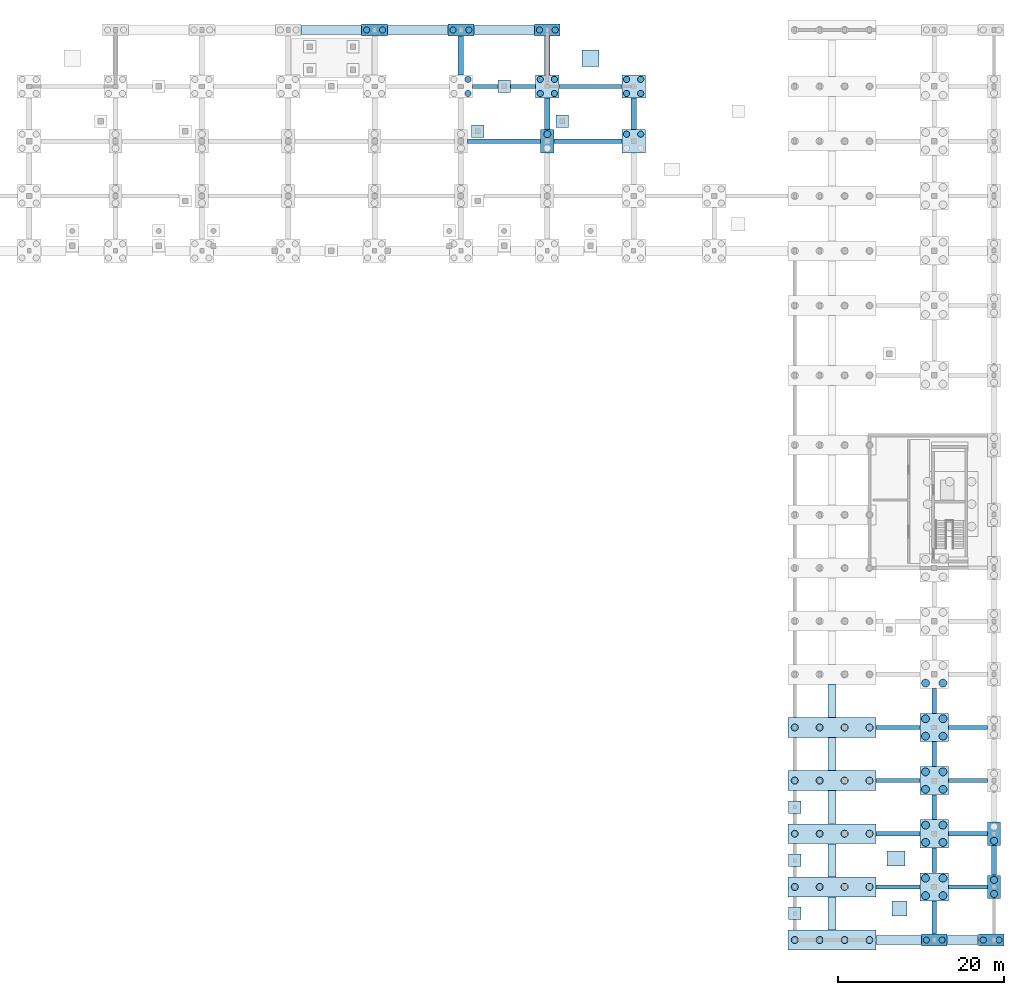
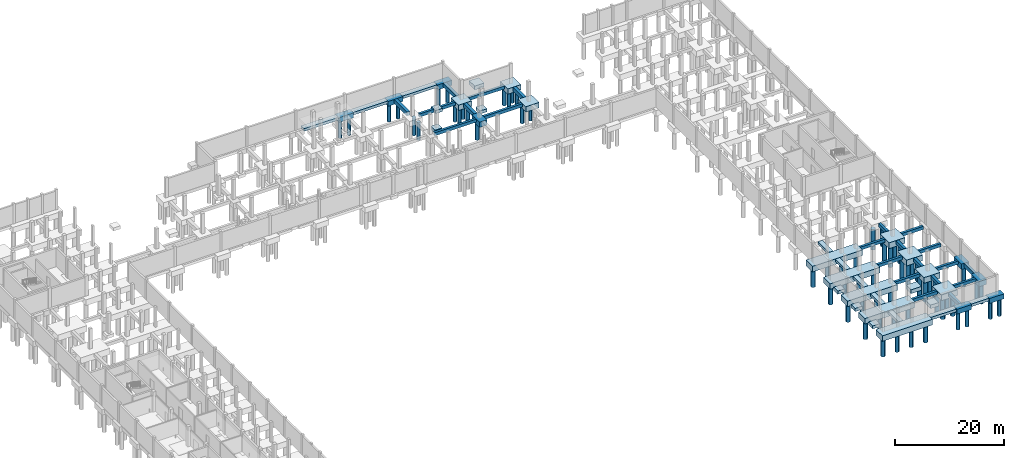
# One storey, part 5 of 21: 64 piles, 62 footings.
"""IFC4 building model written with IfcOpenShell, lengths in metres."""

from ifc_helpers import new_model, si_unit, derived_unit, direction, frame, origin, origin_2d, place, context, subcontext, project, spatial, rectangle, circle, extrude, material, material_profile, profile_set, type_object, element, save


model = new_model("IFC4")

# Units and contexts
model_context = context("Model", 3, precision=1e-05, world=origin(), true_north=direction((0.0, 1.0)))
body_context = subcontext(model_context, "Body", "Model", "MODEL_VIEW")
ifc_project = project(units=[si_unit("LENGTHUNIT", "METRE"), si_unit("AREAUNIT", "SQUARE_METRE"), si_unit("VOLUMEUNIT", "CUBIC_METRE"), si_unit("PLANEANGLEUNIT", "RADIAN"), si_unit("MASSUNIT", "GRAM", prefix="KILO"), derived_unit("THERMALTRANSMITTANCEUNIT", [(si_unit("POWERUNIT", "WATT"), 1), (si_unit("LENGTHUNIT", "METRE"), -2), (si_unit("THERMODYNAMICTEMPERATUREUNIT", "KELVIN"), -1)])], contexts=[model_context])

# Site, building, storey
site_placement = place(None, origin())
site = spatial("IfcSite", under=ifc_project, at=site_placement, CompositionType="ELEMENT")
building_placement = place(site_placement, origin())
building = spatial("IfcBuilding", under=site, at=building_placement, Name="Braskholm Square Health Centre", CompositionType="ELEMENT")
storey_placement = place(building_placement, frame((0.0, 0.0, -4.5)))
storey = spatial("IfcBuildingStorey", under=building, at=storey_placement, Name="B01", CompositionType="ELEMENT", Elevation=-4.5)

# Piles
ifc_material = material(Name="Concrete C40/50 (f'c = 40 MPa)", Category="concrete")
ifc_material_profile_1 = material_profile(ifc_material, circle(Radius=0.375, at=origin_2d()), Name="BORED-PILE-750")
ifc_profile_set_1 = profile_set([ifc_material_profile_1], Name="Concrete C40/50 (f'c = 40 MPa)")
pile_type_1 = type_object("IfcPileType", Name="BoredShaft750", PredefinedType="BORED", material=ifc_profile_set_1)
for number, where, z_axis, x_axis, name in (
    (1, (88.25, 113.800048828125, -1.0), (0.0, 0.0, -1.0), (1.0, 0.0, 0.0), "Rock-socketed shaft 0345"),
    (2, (90.14990234375, 113.800048828125, -1.0), (0.0, 0.0, -1.0), (1.0, 0.0, 0.0), "Rock-socketed shaft 0346"),
    (3, (100.449951171875, 106.14990234375, -1.10009765625), (0.0, 0.0, -1.0), (1.0, 0.0, 0.0), "Rock-socketed shaft 0356"),
    (4, (100.449951171875, 107.85009765625, -1.10009765625), (0.0, 0.0, -1.0), (1.0, 0.0, 0.0), "Rock-socketed shaft 0358"),
    (5, (98.64990234375, 113.800048828125, -1.0), (0.0, 0.0, -1.0), (1.0, 0.0, 0.0), "Rock-socketed shaft 0359"),
    (6, (100.550048828125, 113.800048828125, -1.0), (0.0, 0.0, -1.0), (1.0, 0.0, 0.0), "Rock-socketed shaft 0360"),
    (7, (109.14990234375, 106.14990234375, -1.10009765625), (0.0, 0.0, -1.0), (1.0, 0.0, 0.0), "Rock-socketed shaft 0369"),
    (8, (110.85009765625, 106.14990234375, -1.10009765625), (0.0, 0.0, -1.0), (1.0, 0.0, 0.0), "Rock-socketed shaft 0370"),
    (9, (109.14990234375, 107.85009765625, -1.10009765625), (0.0, 0.0, -1.0), (1.0, 0.0, 0.0), "Rock-socketed shaft 0371"),
    (10, (110.85009765625, 107.85009765625, -1.10009765625), (0.0, 0.0, -1.0), (1.0, 0.0, 0.0), "Rock-socketed shaft 0372"),
    (11, (109.050048828125, 113.800048828125, -1.0), (0.0, 0.0, -1.0), (1.0, 0.0, 0.0), "Rock-socketed shaft 0373"),
    (12, (110.949951171875, 113.800048828125, -1.0), (0.0, 0.0, -1.0), (1.0, 0.0, 0.0), "Rock-socketed shaft 0374"),
    (13, (119.550048828125, 101.25, -1.10009765625), (0.0, 0.0, -1.0), (1.0, 0.0, 0.0), "Rock-socketed shaft 0385"),
    (14, (121.25, 101.25, -1.10009765625), (0.0, 0.0, -1.0), (1.0, 0.0, 0.0), "Rock-socketed shaft 0386"),
    (15, (119.550048828125, 106.14990234375, -1.10009765625), (0.0, 0.0, -1.0), (1.0, 0.0, 0.0), "Rock-socketed shaft 0387"),
    (16, (121.25, 106.14990234375, -1.10009765625), (0.0, 0.0, -1.0), (1.0, 0.0, 0.0), "Rock-socketed shaft 0388"),
    (17, (119.550048828125, 107.85009765625, -1.10009765625), (0.0, 0.0, -1.0), (1.0, 0.0, 0.0), "Rock-socketed shaft 0389"),
    (18, (121.25, 107.85009765625, -1.10009765625), (0.0, 0.0, -1.0), (1.0, 0.0, 0.0), "Rock-socketed shaft 0390"),
    (19, (155.64990234375, 4.199951171875, -1.0), (0.0, 0.0, -1.0), (1.0, 0.0, 0.0), "Rock-socketed shaft 0399"),
    (20, (157.550048828125, 4.199951171875, -1.0), (0.0, 0.0, -1.0), (1.0, 0.0, 0.0), "Rock-socketed shaft 0400"),
    (21, (162.5, 4.199951171875, -1.0), (0.0, 0.0, -1.0), (1.0, 0.0, 0.0), "Rock-socketed shaft 0455"),
    (22, (164.39990234375, 4.199951171875, -1.0), (0.0, 0.0, -1.0), (1.0, 0.0, 0.0), "Rock-socketed shaft 0456"),
):
    element("IfcPile", number, at=place(storey_placement, frame(where, z_axis=z_axis, x_axis=x_axis)), inside=storey, type_object=pile_type_1, Name=name, PredefinedType="BORED", context=body_context, shape_type="SweptSolid", body=[
        extrude(circle(Radius=0.375, at=origin_2d()), origin(), (0.0, 0.0, 1.0), 4.0),
    ])
ifc_material_profile_2 = material_profile(ifc_material, circle(Radius=0.425048828125, at=origin_2d()), Name="BORED-PILE-850")
ifc_profile_set_2 = profile_set([ifc_material_profile_2], Name="Concrete C40/50 (f'c = 40 MPa)")
pile_type_2 = type_object("IfcPileType", Name="BoredShaft850", PredefinedType="BORED", material=ifc_profile_set_2)
for number, where, z_axis, x_axis, name in (
    (23, (139.800048828125, 4.199951171875, -1.14990234375), (0.0, 0.0, -1.0), (1.0, 0.0, 0.0), "Rock-socketed shaft 0101"),
    (24, (142.800048828125, 4.199951171875, -1.14990234375), (0.0, 0.0, -1.0), (1.0, 0.0, 0.0), "Rock-socketed shaft 0102"),
    (25, (145.800048828125, 4.199951171875, -1.14990234375), (0.0, 0.0, -1.0), (1.0, 0.0, 0.0), "Rock-socketed shaft 0103"),
    (26, (148.800048828125, 4.199951171875, -1.14990234375), (0.0, 0.0, -1.0), (1.0, 0.0, 0.0), "Rock-socketed shaft 0104"),
    (27, (139.800048828125, 10.60009765625, -1.14990234375), (0.0, 0.0, -1.0), (1.0, 0.0, 0.0), "Rock-socketed shaft 0105"),
    (28, (142.800048828125, 10.60009765625, -1.14990234375), (0.0, 0.0, -1.0), (1.0, 0.0, 0.0), "Rock-socketed shaft 0106"),
    (29, (145.800048828125, 10.60009765625, -1.14990234375), (0.0, 0.0, -1.0), (1.0, 0.0, 0.0), "Rock-socketed shaft 0107"),
    (30, (148.800048828125, 10.60009765625, -1.14990234375), (0.0, 0.0, -1.0), (1.0, 0.0, 0.0), "Rock-socketed shaft 0108"),
    (31, (139.800048828125, 17.0, -1.14990234375), (0.0, 0.0, -1.0), (1.0, 0.0, 0.0), "Rock-socketed shaft 0109"),
    (32, (142.800048828125, 17.0, -1.14990234375), (0.0, 0.0, -1.0), (1.0, 0.0, 0.0), "Rock-socketed shaft 0110"),
    (33, (145.800048828125, 17.0, -1.14990234375), (0.0, 0.0, -1.0), (1.0, 0.0, 0.0), "Rock-socketed shaft 0111"),
    (34, (148.800048828125, 17.0, -1.14990234375), (0.0, 0.0, -1.0), (1.0, 0.0, 0.0), "Rock-socketed shaft 0112"),
    (35, (139.800048828125, 23.39990234375, -1.14990234375), (0.0, 0.0, -1.0), (1.0, 0.0, 0.0), "Rock-socketed shaft 0113"),
    (36, (142.800048828125, 23.39990234375, -1.14990234375), (0.0, 0.0, -1.0), (1.0, 0.0, 0.0), "Rock-socketed shaft 0114"),
    (37, (145.800048828125, 23.39990234375, -1.14990234375), (0.0, 0.0, -1.0), (1.0, 0.0, 0.0), "Rock-socketed shaft 0115"),
    (38, (148.800048828125, 23.39990234375, -1.14990234375), (0.0, 0.0, -1.0), (1.0, 0.0, 0.0), "Rock-socketed shaft 0116"),
    (39, (139.800048828125, 29.800048828125, -1.14990234375), (0.0, 0.0, -1.0), (1.0, 0.0, 0.0), "Rock-socketed shaft 0117"),
    (40, (142.800048828125, 29.800048828125, -1.14990234375), (0.0, 0.0, -1.0), (1.0, 0.0, 0.0), "Rock-socketed shaft 0118"),
    (41, (145.800048828125, 29.800048828125, -1.14990234375), (0.0, 0.0, -1.0), (1.0, 0.0, 0.0), "Rock-socketed shaft 0119"),
    (42, (148.800048828125, 29.800048828125, -1.14990234375), (0.0, 0.0, -1.0), (1.0, 0.0, 0.0), "Rock-socketed shaft 0120"),
    (43, (110.0, 101.25, -1.10009765625), (0.0, 0.0, -1.0), (1.0, 0.0, 0.0), "Rock-socketed shaft 0368"),
    (44, (163.800048828125, 9.75, -1.10009765625), (0.0, 0.0, -1.0), (1.0, 0.0, 0.0), "Rock-socketed shaft 0457"),
    (45, (163.800048828125, 11.449951171875, -1.10009765625), (0.0, 0.0, -1.0), (1.0, 0.0, 0.0), "Rock-socketed shaft 0458"),
    (46, (163.800048828125, 16.14990234375, -1.10009765625), (0.0, 0.0, -1.0), (1.0, 0.0, 0.0), "Rock-socketed shaft 0459"),
):
    element("IfcPile", number, at=place(storey_placement, frame(where, z_axis=z_axis, x_axis=x_axis)), inside=storey, type_object=pile_type_2, Name=name, PredefinedType="BORED", context=body_context, shape_type="SweptSolid", body=[
        extrude(circle(Radius=0.425048828125, at=origin_2d()), origin(), (0.0, 0.0, 1.0), 4.300048828125),
    ])
ifc_material_profile_3 = material_profile(ifc_material, circle(Radius=0.47509765625, at=origin_2d()), Name="BORED-PILE-950")
ifc_profile_set_3 = profile_set([ifc_material_profile_3], Name="Concrete C40/50 (f'c = 40 MPa)")
pile_type_3 = type_object("IfcPileType", Name="BoredShaft950", PredefinedType="BORED", material=ifc_profile_set_3)
for number, where, z_axis, x_axis, name in (
    (47, (155.550048828125, 9.550048828125, -1.199951171875), (0.0, 0.0, -1.0), (1.0, 0.0, 0.0), "Rock-socketed shaft 0401"),
    (48, (157.64990234375, 9.550048828125, -1.199951171875), (0.0, 0.0, -1.0), (1.0, 0.0, 0.0), "Rock-socketed shaft 0402"),
    (49, (155.550048828125, 11.64990234375, -1.199951171875), (0.0, 0.0, -1.0), (1.0, 0.0, 0.0), "Rock-socketed shaft 0403"),
    (50, (157.64990234375, 11.64990234375, -1.199951171875), (0.0, 0.0, -1.0), (1.0, 0.0, 0.0), "Rock-socketed shaft 0404"),
    (51, (155.550048828125, 15.949951171875, -1.199951171875), (0.0, 0.0, -1.0), (1.0, 0.0, 0.0), "Rock-socketed shaft 0405"),
    (52, (157.64990234375, 15.949951171875, -1.199951171875), (0.0, 0.0, -1.0), (1.0, 0.0, 0.0), "Rock-socketed shaft 0406"),
    (53, (155.550048828125, 18.050048828125, -1.199951171875), (0.0, 0.0, -1.0), (1.0, 0.0, 0.0), "Rock-socketed shaft 0407"),
    (54, (157.64990234375, 18.050048828125, -1.199951171875), (0.0, 0.0, -1.0), (1.0, 0.0, 0.0), "Rock-socketed shaft 0408"),
    (55, (155.550048828125, 22.35009765625, -1.199951171875), (0.0, 0.0, -1.0), (1.0, 0.0, 0.0), "Rock-socketed shaft 0409"),
    (56, (157.64990234375, 22.35009765625, -1.199951171875), (0.0, 0.0, -1.0), (1.0, 0.0, 0.0), "Rock-socketed shaft 0410"),
    (57, (155.550048828125, 24.449951171875, -1.199951171875), (0.0, 0.0, -1.0), (1.0, 0.0, 0.0), "Rock-socketed shaft 0411"),
    (58, (157.64990234375, 24.449951171875, -1.199951171875), (0.0, 0.0, -1.0), (1.0, 0.0, 0.0), "Rock-socketed shaft 0412"),
    (59, (155.550048828125, 28.75, -1.199951171875), (0.0, 0.0, -1.0), (1.0, 0.0, 0.0), "Rock-socketed shaft 0413"),
    (60, (157.64990234375, 28.75, -1.199951171875), (0.0, 0.0, -1.0), (1.0, 0.0, 0.0), "Rock-socketed shaft 0414"),
    (61, (155.550048828125, 30.85009765625, -1.199951171875), (0.0, 0.0, -1.0), (1.0, 0.0, 0.0), "Rock-socketed shaft 0415"),
    (62, (157.64990234375, 30.85009765625, -1.199951171875), (0.0, 0.0, -1.0), (1.0, 0.0, 0.0), "Rock-socketed shaft 0416"),
    (63, (155.550048828125, 35.14990234375, -1.199951171875), (0.0, 0.0, -1.0), (1.0, 0.0, 0.0), "Rock-socketed shaft 0417"),
    (64, (157.64990234375, 35.14990234375, -1.199951171875), (0.0, 0.0, -1.0), (1.0, 0.0, 0.0), "Rock-socketed shaft 0418"),
):
    element("IfcPile", number, at=place(storey_placement, frame(where, z_axis=z_axis, x_axis=x_axis)), inside=storey, type_object=pile_type_3, Name=name, PredefinedType="BORED", context=body_context, shape_type="SweptSolid", body=[
        extrude(circle(Radius=0.47509765625, at=origin_2d()), origin(), (0.0, 0.0, 1.0), 4.60009765625),
    ])

# Footings
ifc_material_profile_4 = material_profile(ifc_material, rectangle(XDim=0.60009765625, YDim=0.800048828125, at=origin_2d()), Name="FTG-600X800")
ifc_profile_set_4 = profile_set([ifc_material_profile_4], Name="Concrete C40/50 (f'c = 40 MPa)")
footing_type_1 = type_object("IfcFootingType", Name="GradeBeamFrost600x800", PredefinedType="FOOTING_BEAM", material=ifc_profile_set_4)
footing_1_placement = place(storey_placement, frame((163.800048828125, 12.0048828125, -0.39990234375), z_axis=(0.0, 1.0, 0.0), x_axis=(-1.0, 0.0, 0.0)))
element("IfcFooting", 65, at=footing_1_placement, inside=storey, type_object=footing_type_1, Name="Foundation tie beam 0101", PredefinedType="FOOTING_BEAM", context=body_context, shape_type="SweptSolid", body=[
    extrude(rectangle(XDim=0.60009765625, YDim=0.800048828125, at=origin_2d()), origin(), (0.0, 0.0, 1.0), 3.590087890625),
])
ifc_material_profile_5 = material_profile(ifc_material, rectangle(XDim=0.64990234375, YDim=0.85009765625, at=origin_2d()), Name="FTG-650X850")
ifc_profile_set_5 = profile_set([ifc_material_profile_5], Name="Concrete C40/50 (f'c = 40 MPa)")
footing_type_2 = type_object("IfcFootingType", Name="GradeBeamHall650x850", PredefinedType="FOOTING_BEAM", material=ifc_profile_set_5)
footing_2_placement = place(storey_placement, frame((99.60009765625, 108.405029296875, -0.425048828125), z_axis=(0.0, 1.0, 0.0), x_axis=(-1.0, 0.0, 0.0)))
element("IfcFooting", 66, at=footing_2_placement, inside=storey, type_object=footing_type_2, Name="Foundation tie beam 0063", PredefinedType="FOOTING_BEAM", context=body_context, shape_type="SweptSolid", body=[
    extrude(rectangle(XDim=0.64990234375, YDim=0.85009765625, at=origin_2d()), origin(), (0.0, 0.0, 1.0), 4.68994140625),
])
footing_3_placement = place(storey_placement, frame((110.0, 101.804931640625, -0.425048828125), z_axis=(0.0, 1.0, 0.0), x_axis=(-1.0, 0.0, 0.0)))
element("IfcFooting", 67, at=footing_3_placement, inside=storey, type_object=footing_type_2, Name="Foundation tie beam 0066", PredefinedType="FOOTING_BEAM", context=body_context, shape_type="SweptSolid", body=[
    extrude(rectangle(XDim=0.64990234375, YDim=0.85009765625, at=origin_2d()), origin(), (0.0, 0.0, 1.0), 3.7900390625),
])
footing_4_placement = place(storey_placement, frame((110.0, 108.405029296875, -0.425048828125), z_axis=(0.0, 1.0, 0.0), x_axis=(-1.0, 0.0, 0.0)))
element("IfcFooting", 68, at=footing_4_placement, inside=storey, type_object=footing_type_2, Name="Foundation tie beam 0067", PredefinedType="FOOTING_BEAM", context=body_context, shape_type="SweptSolid", body=[
    extrude(rectangle(XDim=0.64990234375, YDim=0.85009765625, at=origin_2d()), origin(), (0.0, 0.0, 1.0), 4.68994140625),
])
footing_5_placement = place(storey_placement, frame((120.39990234375, 101.804931640625, -0.425048828125), z_axis=(0.0, 1.0, 0.0), x_axis=(-1.0, 0.0, 0.0)))
element("IfcFooting", 69, at=footing_5_placement, inside=storey, type_object=footing_type_2, Name="Foundation tie beam 0070", PredefinedType="FOOTING_BEAM", context=body_context, shape_type="SweptSolid", body=[
    extrude(rectangle(XDim=0.64990234375, YDim=0.85009765625, at=origin_2d()), origin(), (0.0, 0.0, 1.0), 3.7900390625),
])
ifc_material_profile_6 = material_profile(ifc_material, rectangle(XDim=0.5, YDim=0.699951171875, at=origin_2d()), Name="FTG-500X700")
ifc_profile_set_6 = profile_set([ifc_material_profile_6], Name="Concrete C40/50 (f'c = 40 MPa)")
footing_type_3 = type_object("IfcFootingType", Name="GradeBeamTie500x700", PredefinedType="FOOTING_BEAM", material=ifc_profile_set_6)
footing_6_placement = place(storey_placement, frame((149.60498046875, 10.60009765625, -0.35009765625), z_axis=(1.0, 0.0, 0.0), x_axis=(0.0, 1.0, 0.0)))
element("IfcFooting", 70, at=footing_6_placement, inside=storey, type_object=footing_type_3, Name="Foundation tie beam 0121", PredefinedType="FOOTING_BEAM", context=body_context, shape_type="SweptSolid", body=[
    extrude(rectangle(XDim=0.5, YDim=0.699951171875, at=origin_2d()), origin(), (0.0, 0.0, 1.0), 5.2900390625),
])
footing_7_placement = place(storey_placement, frame((158.304931640625, 10.60009765625, -0.35009765625), z_axis=(1.0, 0.0, 0.0), x_axis=(0.0, 1.0, 0.0)))
element("IfcFooting", 71, at=footing_7_placement, inside=storey, type_object=footing_type_3, Name="Foundation tie beam 0122", PredefinedType="FOOTING_BEAM", context=body_context, shape_type="SweptSolid", body=[
    extrude(rectangle(XDim=0.5, YDim=0.699951171875, at=origin_2d()), origin(), (0.0, 0.0, 1.0), 4.690185546875),
])
footing_8_placement = place(storey_placement, frame((149.60498046875, 17.0, -0.35009765625), z_axis=(1.0, 0.0, 0.0), x_axis=(0.0, 1.0, 0.0)))
element("IfcFooting", 72, at=footing_8_placement, inside=storey, type_object=footing_type_3, Name="Foundation tie beam 0123", PredefinedType="FOOTING_BEAM", context=body_context, shape_type="SweptSolid", body=[
    extrude(rectangle(XDim=0.5, YDim=0.699951171875, at=origin_2d()), origin(), (0.0, 0.0, 1.0), 5.2900390625),
])
footing_9_placement = place(storey_placement, frame((158.304931640625, 17.0, -0.35009765625), z_axis=(1.0, 0.0, 0.0), x_axis=(0.0, 1.0, 0.0)))
element("IfcFooting", 73, at=footing_9_placement, inside=storey, type_object=footing_type_3, Name="Foundation tie beam 0124", PredefinedType="FOOTING_BEAM", context=body_context, shape_type="SweptSolid", body=[
    extrude(rectangle(XDim=0.5, YDim=0.699951171875, at=origin_2d()), origin(), (0.0, 0.0, 1.0), 4.690185546875),
])
footing_10_placement = place(storey_placement, frame((149.60498046875, 23.39990234375, -0.35009765625), z_axis=(1.0, 0.0, 0.0), x_axis=(0.0, 1.0, 0.0)))
element("IfcFooting", 74, at=footing_10_placement, inside=storey, type_object=footing_type_3, Name="Foundation tie beam 0125", PredefinedType="FOOTING_BEAM", context=body_context, shape_type="SweptSolid", body=[
    extrude(rectangle(XDim=0.5, YDim=0.699951171875, at=origin_2d()), origin(), (0.0, 0.0, 1.0), 5.2900390625),
])
footing_11_placement = place(storey_placement, frame((158.304931640625, 23.39990234375, -0.35009765625), z_axis=(1.0, 0.0, 0.0), x_axis=(0.0, 1.0, 0.0)))
element("IfcFooting", 75, at=footing_11_placement, inside=storey, type_object=footing_type_3, Name="Foundation tie beam 0126", PredefinedType="FOOTING_BEAM", context=body_context, shape_type="SweptSolid", body=[
    extrude(rectangle(XDim=0.5, YDim=0.699951171875, at=origin_2d()), origin(), (0.0, 0.0, 1.0), 4.690185546875),
])
footing_12_placement = place(storey_placement, frame((149.60498046875, 29.800048828125, -0.35009765625), z_axis=(1.0, 0.0, 0.0), x_axis=(0.0, 1.0, 0.0)))
element("IfcFooting", 76, at=footing_12_placement, inside=storey, type_object=footing_type_3, Name="Foundation tie beam 0129", PredefinedType="FOOTING_BEAM", context=body_context, shape_type="SweptSolid", body=[
    extrude(rectangle(XDim=0.5, YDim=0.699951171875, at=origin_2d()), origin(), (0.0, 0.0, 1.0), 5.2900390625),
])
footing_13_placement = place(storey_placement, frame((158.304931640625, 29.800048828125, -0.35009765625), z_axis=(1.0, 0.0, 0.0), x_axis=(0.0, 1.0, 0.0)))
element("IfcFooting", 77, at=footing_13_placement, inside=storey, type_object=footing_type_3, Name="Foundation tie beam 0130", PredefinedType="FOOTING_BEAM", context=body_context, shape_type="SweptSolid", body=[
    extrude(rectangle(XDim=0.5, YDim=0.699951171875, at=origin_2d()), origin(), (0.0, 0.0, 1.0), 4.690185546875),
])
footing_14_placement = place(storey_placement, frame((100.405029296875, 100.39990234375, -0.35009765625), z_axis=(1.0, 0.0, 0.0), x_axis=(0.0, 1.0, 0.0)))
element("IfcFooting", 78, at=footing_14_placement, inside=storey, type_object=footing_type_3, Name="Foundation tie beam 0195", PredefinedType="FOOTING_BEAM", context=body_context, shape_type="SweptSolid", body=[
    extrude(rectangle(XDim=0.5, YDim=0.699951171875, at=origin_2d()), origin(), (0.0, 0.0, 1.0), 8.7900390625),
])
footing_15_placement = place(storey_placement, frame((110.804931640625, 100.39990234375, -0.35009765625), z_axis=(1.0, 0.0, 0.0), x_axis=(0.0, 1.0, 0.0)))
element("IfcFooting", 79, at=footing_15_placement, inside=storey, type_object=footing_type_3, Name="Foundation tie beam 0196", PredefinedType="FOOTING_BEAM", context=body_context, shape_type="SweptSolid", body=[
    extrude(rectangle(XDim=0.5, YDim=0.699951171875, at=origin_2d()), origin(), (0.0, 0.0, 1.0), 8.190185546875),
])
for number, where, z_axis, x_axis, name in (
    (80, (101.0048828125, 107.0, -0.35009765625), (1.0, 0.0, 0.0), (0.0, 1.0, 0.0), "Foundation tie beam 0208"),
    (81, (105.553955078125, 107.0, -0.35009765625), (1.0, 0.0, 0.0), (0.0, 1.0, 0.0), "Foundation tie beam 0209"),
):
    element("IfcFooting", number, at=place(storey_placement, frame(where, z_axis=z_axis, x_axis=x_axis)), inside=storey, type_object=footing_type_3, Name=name, PredefinedType="FOOTING_BEAM", context=body_context, shape_type="SweptSolid", body=[
        extrude(rectangle(XDim=0.5, YDim=0.699951171875, at=origin_2d()), origin(), (0.0, 0.0, 1.0), 3.041015625),
    ])
footing_16_placement = place(storey_placement, frame((111.405029296875, 107.0, -0.35009765625), z_axis=(1.0, 0.0, 0.0), x_axis=(0.0, 1.0, 0.0)))
element("IfcFooting", 82, at=footing_16_placement, inside=storey, type_object=footing_type_3, Name="Foundation tie beam 0210", PredefinedType="FOOTING_BEAM", context=body_context, shape_type="SweptSolid", body=[
    extrude(rectangle(XDim=0.5, YDim=0.699951171875, at=origin_2d()), origin(), (0.0, 0.0, 1.0), 7.590087890625),
])
ifc_material_profile_7 = material_profile(ifc_material, rectangle(XDim=0.550048828125, YDim=0.75, at=origin_2d()), Name="FTG-550X750")
ifc_profile_set_7 = profile_set([ifc_material_profile_7], Name="Concrete C40/50 (f'c = 40 MPa)")
footing_type_4 = type_object("IfcFootingType", Name="GradeBeamTie550x750", PredefinedType="FOOTING_BEAM", material=ifc_profile_set_7)
footing_17_placement = place(storey_placement, frame((156.60009765625, 4.905029296875, -0.375), z_axis=(0.0, 1.0, 0.0), x_axis=(-1.0, 0.0, 0.0)))
element("IfcFooting", 83, at=footing_17_placement, inside=storey, type_object=footing_type_4, Name="Foundation tie beam 0088", PredefinedType="FOOTING_BEAM", context=body_context, shape_type="SweptSolid", body=[
    extrude(rectangle(XDim=0.550048828125, YDim=0.75, at=origin_2d()), origin(), (0.0, 0.0, 1.0), 3.989990234375),
])
for number, where, z_axis, x_axis, name in (
    (84, (156.60009765625, 12.304931640625, -0.375), (0.0, 1.0, 0.0), (-1.0, 0.0, 0.0), "Foundation tie beam 0089"),
    (85, (156.60009765625, 18.705078125, -0.375), (0.0, 1.0, 0.0), (-1.0, 0.0, 0.0), "Foundation tie beam 0090"),
    (86, (156.60009765625, 25.10498046875, -0.375), (0.0, 1.0, 0.0), (-1.0, 0.0, 0.0), "Foundation tie beam 0091"),
):
    element("IfcFooting", number, at=place(storey_placement, frame(where, z_axis=z_axis, x_axis=x_axis)), inside=storey, type_object=footing_type_4, Name=name, PredefinedType="FOOTING_BEAM", context=body_context, shape_type="SweptSolid", body=[
        extrude(rectangle(XDim=0.550048828125, YDim=0.75, at=origin_2d()), origin(), (0.0, 0.0, 1.0), 2.989990234375),
    ])
footing_18_placement = place(storey_placement, frame((156.60009765625, 31.5048828125, -0.375), z_axis=(0.0, 1.0, 0.0), x_axis=(-1.0, 0.0, 0.0)))
element("IfcFooting", 87, at=footing_18_placement, inside=storey, type_object=footing_type_4, Name="Foundation tie beam 0092", PredefinedType="FOOTING_BEAM", context=body_context, shape_type="SweptSolid", body=[
    extrude(rectangle(XDim=0.550048828125, YDim=0.75, at=origin_2d()), origin(), (0.0, 0.0, 1.0), 2.990234375),
])
footing_type_5 = type_object("IfcFootingType", Name="PadFootingCanopy1800x1800", PredefinedType="PAD_FOOTING", material=ifc_material)
footing_19_placement = place(storey_placement, frame((152.39990234375, 8.0, -0.7998046875), z_axis=(0.0, 0.0, 1.0), x_axis=(1.0, 0.0, 0.0)))
element("IfcFooting", 88, at=footing_19_placement, inside=storey, type_object=footing_type_5, Name="Frost-depth pad footing 004", PredefinedType="PAD_FOOTING", context=body_context, shape_type="SweptSolid", body=[
    extrude(rectangle(XDim=1.800048828125, YDim=1.800048828125, at=origin_2d()), origin(), (0.0, 0.0, 1.0), 0.800048828125),
])
footing_type_6 = type_object("IfcFootingType", Name="PadFootingPortico2000x2000", PredefinedType="PAD_FOOTING", material=ifc_material)
footing_20_placement = place(storey_placement, frame((115.199951171875, 110.39990234375, -0.85009765625), z_axis=(0.0, 0.0, 1.0), x_axis=(1.0, 0.0, 0.0)))
element("IfcFooting", 89, at=footing_20_placement, inside=storey, type_object=footing_type_6, Name="Frost-depth pad footing 006", PredefinedType="PAD_FOOTING", context=body_context, shape_type="SweptSolid", body=[
    extrude(rectangle(XDim=2.0, YDim=2.0, at=origin_2d()), origin(), (0.0, 0.0, 1.0), 0.85009765625),
])
footing_type_7 = type_object("IfcFootingType", Name="PadFootingPortico2200x1800", PredefinedType="PAD_FOOTING", material=ifc_material)
footing_21_placement = place(storey_placement, frame((152.0, 14.0, -0.85009765625), z_axis=(0.0, 0.0, 1.0), x_axis=(1.0, 0.0, 0.0)))
element("IfcFooting", 90, at=footing_21_placement, inside=storey, type_object=footing_type_7, Name="Frost-depth pad footing 008", PredefinedType="PAD_FOOTING", context=body_context, shape_type="SweptSolid", body=[
    extrude(rectangle(XDim=2.199951171875, YDim=1.800048828125, at=origin_2d()), origin(), (0.0, 0.0, 1.0), 0.85009765625),
])
footing_type_8 = type_object("IfcFootingType", Name="PadFootingScreen1500x1500", PredefinedType="PAD_FOOTING", material=ifc_material)
for number, where, z_axis, x_axis, name in (
    (91, (139.800048828125, 7.39990234375, -0.7001953125), (0.0, 0.0, 1.0), (1.0, 0.0, 0.0), "Special column pad footing PIL04"),
    (92, (139.800048828125, 13.800048828125, -0.7001953125), (0.0, 0.0, 1.0), (1.0, 0.0, 0.0), "Special column pad footing PIL05"),
    (93, (139.800048828125, 20.199951171875, -0.7001953125), (0.0, 0.0, 1.0), (1.0, 0.0, 0.0), "Special column pad footing PIL06"),
    (94, (104.800048828125, 107.0, -0.7001953125), (0.0, 0.0, 1.0), (1.0, 0.0, 0.0), "Special column pad footing CS2F"),
    (95, (111.800048828125, 102.800048828125, -0.7001953125), (0.0, 0.0, 1.0), (1.0, 0.0, 0.0), "Special column pad footing CS3H"),
    (96, (101.60009765625, 101.60009765625, -0.7001953125), (0.0, 0.0, 1.0), (1.0, 0.0, 0.0), "Special column pad footing CS3K"),
):
    element("IfcFooting", number, at=place(storey_placement, frame(where, z_axis=z_axis, x_axis=x_axis)), inside=storey, type_object=footing_type_8, Name=name, PredefinedType="PAD_FOOTING", context=body_context, shape_type="SweptSolid", body=[
        extrude(rectangle(XDim=1.5, YDim=1.5, at=origin_2d()), origin(), (0.0, 0.0, 1.0), 0.699951171875),
    ])
footing_type_9 = type_object("IfcFootingType", Name="PileCap2Pile2800x1600", PredefinedType="PILE_CAP", material=ifc_material)
for number, where, z_axis, x_axis, name in (
    (97, (110.0, 100.39990234375, -1.2001953125), (0.0, 0.0, 1.0), (0.0, 1.0, 0.0), "Column pile cap FTG-PC-0102 at 14/Q"),
    (98, (163.800048828125, 10.60009765625, -1.2001953125), (0.0, 0.0, 1.0), (0.0, 1.0, 0.0), "Column pile cap FTG-PC-0127 at 22/B"),
    (99, (163.800048828125, 17.0, -1.2001953125), (0.0, 0.0, 1.0), (0.0, 1.0, 0.0), "Column pile cap FTG-PC-0128 at 22/C"),
):
    element("IfcFooting", number, at=place(storey_placement, frame(where, z_axis=z_axis, x_axis=x_axis)), inside=storey, type_object=footing_type_9, Name=name, PredefinedType="PILE_CAP", context=body_context, shape_type="SweptSolid", body=[
        extrude(rectangle(XDim=2.800048828125, YDim=1.60009765625, at=origin_2d()), origin(), (0.0, 0.0, 1.0), 1.199951171875),
    ])
footing_type_10 = type_object("IfcFootingType", Name="PileCap2Pile3100x1400", PredefinedType="PILE_CAP", material=ifc_material)
for number, where, z_axis, x_axis, name in (
    (100, (89.199951171875, 113.800048828125, -1.10009765625), (0.0, 0.0, 1.0), (1.0, 0.0, 0.0), "Column pile cap FTG-PC-0094 at 12/S"),
    (101, (99.60009765625, 113.800048828125, -1.10009765625), (0.0, 0.0, 1.0), (1.0, 0.0, 0.0), "Column pile cap FTG-PC-0099 at 13/S"),
    (102, (110.0, 113.800048828125, -1.10009765625), (0.0, 0.0, 1.0), (1.0, 0.0, 0.0), "Column pile cap FTG-PC-0104 at 14/S"),
    (103, (156.60009765625, 4.199951171875, -1.10009765625), (0.0, 0.0, 1.0), (1.0, 0.0, 0.0), "Column pile cap FTG-PC-0111 at 21/A"),
    (104, (163.449951171875, 4.199951171875, -1.10009765625), (0.0, 0.0, 1.0), (1.0, 0.0, 0.0), "Column pile cap FTG-PC-0126 at 22/A"),
):
    element("IfcFooting", number, at=place(storey_placement, frame(where, z_axis=z_axis, x_axis=x_axis)), inside=storey, type_object=footing_type_10, Name=name, PredefinedType="PILE_CAP", context=body_context, shape_type="SweptSolid", body=[
        extrude(rectangle(XDim=3.10009765625, YDim=1.39990234375, at=origin_2d()), origin(), (0.0, 0.0, 1.0), 1.10009765625),
    ])
footing_type_11 = type_object("IfcFootingType", Name="PileCap4Pile2800x2800", PredefinedType="PILE_CAP", material=ifc_material)
for number, where, z_axis, x_axis, name in (
    (105, (110.0, 107.0, -1.2001953125), (0.0, 0.0, 1.0), (1.0, 0.0, 0.0), "Column pile cap FTG-PC-0103 at 14/R"),
    (106, (120.39990234375, 100.39990234375, -1.2001953125), (0.0, 0.0, 1.0), (1.0, 0.0, 0.0), "Column pile cap FTG-PC-0107 at 15/Q"),
    (107, (120.39990234375, 107.0, -1.2001953125), (0.0, 0.0, 1.0), (1.0, 0.0, 0.0), "Column pile cap FTG-PC-0108 at 15/R"),
):
    element("IfcFooting", number, at=place(storey_placement, frame(where, z_axis=z_axis, x_axis=x_axis)), inside=storey, type_object=footing_type_11, Name=name, PredefinedType="PILE_CAP", context=body_context, shape_type="SweptSolid", body=[
        extrude(rectangle(XDim=2.800048828125, YDim=2.800048828125, at=origin_2d()), origin(), (0.0, 0.0, 1.0), 1.199951171875),
    ])
footing_type_12 = type_object("IfcFootingType", Name="PileCap4Pile3400x3400", PredefinedType="PILE_CAP", material=ifc_material)
for number, where, z_axis, x_axis, name in (
    (108, (156.60009765625, 10.60009765625, -1.2998046875), (0.0, 0.0, 1.0), (1.0, 0.0, 0.0), "Column pile cap FTG-PC-0112 at 21/B"),
    (109, (156.60009765625, 17.0, -1.2998046875), (0.0, 0.0, 1.0), (1.0, 0.0, 0.0), "Column pile cap FTG-PC-0113 at 21/C"),
    (110, (156.60009765625, 23.39990234375, -1.2998046875), (0.0, 0.0, 1.0), (1.0, 0.0, 0.0), "Column pile cap FTG-PC-0114 at 21/D"),
    (111, (156.60009765625, 29.800048828125, -1.2998046875), (0.0, 0.0, 1.0), (1.0, 0.0, 0.0), "Column pile cap FTG-PC-0115 at 21/E"),
):
    element("IfcFooting", number, at=place(storey_placement, frame(where, z_axis=z_axis, x_axis=x_axis)), inside=storey, type_object=footing_type_12, Name=name, PredefinedType="PILE_CAP", context=body_context, shape_type="SweptSolid", body=[
        extrude(rectangle(XDim=3.39990234375, YDim=3.39990234375, at=origin_2d()), origin(), (0.0, 0.0, 1.0), 1.300048828125),
    ])
footing_type_13 = type_object("IfcFootingType", Name="PileCap4PileStep10600x2400", PredefinedType="PILE_CAP", material=ifc_material)
for number, where, z_axis, x_axis, name in (
    (112, (144.300048828125, 4.199951171875, -1.25), (0.0, 0.0, 1.0), (1.0, 0.0, 0.0), "Combined step pile cap FTG-PC-0022"),
    (113, (144.300048828125, 10.60009765625, -1.25), (0.0, 0.0, 1.0), (1.0, 0.0, 0.0), "Combined step pile cap FTG-PC-0023"),
    (114, (144.300048828125, 17.0, -1.25), (0.0, 0.0, 1.0), (1.0, 0.0, 0.0), "Combined step pile cap FTG-PC-0024"),
    (115, (144.300048828125, 23.39990234375, -1.25), (0.0, 0.0, 1.0), (1.0, 0.0, 0.0), "Combined step pile cap FTG-PC-0025"),
    (116, (144.300048828125, 29.800048828125, -1.25), (0.0, 0.0, 1.0), (1.0, 0.0, 0.0), "Combined step pile cap FTG-PC-0026"),
):
    element("IfcFooting", number, at=place(storey_placement, frame(where, z_axis=z_axis, x_axis=x_axis)), inside=storey, type_object=footing_type_13, Name=name, PredefinedType="PILE_CAP", context=body_context, shape_type="SweptSolid", body=[
        extrude(rectangle(XDim=10.60009765625, YDim=2.39990234375, at=origin_2d()), origin(), (0.0, 0.0, 1.0), 1.25),
    ])
ifc_material_profile_8 = material_profile(ifc_material, rectangle(XDim=0.949951171875, YDim=0.550048828125, at=origin_2d()), Name="FTG-950X550")
ifc_profile_set_8 = profile_set([ifc_material_profile_8], Name="Concrete C40/50 (f'c = 40 MPa)")
footing_type_14 = type_object("IfcFootingType", Name="StripFootingColonnade950x550", PredefinedType="STRIP_FOOTING", material=ifc_profile_set_8)
for number, where, z_axis, x_axis, name in (
    (117, (144.300048828125, 5.405029296875, -0.27490234375), (0.0, 1.0, 0.0), (-1.0, 0.0, 0.0), "Foundation tie beam 0072"),
    (118, (144.300048828125, 11.804931640625, -0.27490234375), (0.0, 1.0, 0.0), (-1.0, 0.0, 0.0), "Foundation tie beam 0073"),
    (119, (144.300048828125, 18.205078125, -0.27490234375), (0.0, 1.0, 0.0), (-1.0, 0.0, 0.0), "Foundation tie beam 0074"),
    (120, (144.300048828125, 24.60498046875, -0.27490234375), (0.0, 1.0, 0.0), (-1.0, 0.0, 0.0), "Foundation tie beam 0075"),
):
    element("IfcFooting", number, at=place(storey_placement, frame(where, z_axis=z_axis, x_axis=x_axis)), inside=storey, type_object=footing_type_14, Name=name, PredefinedType="STRIP_FOOTING", context=body_context, shape_type="SweptSolid", body=[
        extrude(rectangle(XDim=0.949951171875, YDim=0.550048828125, at=origin_2d()), origin(), (0.0, 0.0, 1.0), 3.989990234375),
    ])
footing_22_placement = place(storey_placement, frame((144.300048828125, 31.0048828125, -0.27490234375), z_axis=(0.0, 1.0, 0.0), x_axis=(-1.0, 0.0, 0.0)))
element("IfcFooting", 121, at=footing_22_placement, inside=storey, type_object=footing_type_14, Name="Foundation tie beam 0076", PredefinedType="STRIP_FOOTING", context=body_context, shape_type="SweptSolid", body=[
    extrude(rectangle(XDim=0.949951171875, YDim=0.550048828125, at=origin_2d()), origin(), (0.0, 0.0, 1.0), 3.990234375),
])
ifc_material_profile_9 = material_profile(ifc_material, rectangle(XDim=1.10009765625, YDim=0.60009765625, at=origin_2d()), Name="FTG-1100X600")
ifc_profile_set_9 = profile_set([ifc_material_profile_9], Name="Concrete C40/50 (f'c = 40 MPa)")
footing_type_15 = type_object("IfcFootingType", Name="StripFootingWall1100x600", PredefinedType="STRIP_FOOTING", material=ifc_profile_set_9)
footing_23_placement = place(storey_placement, frame((149.60498046875, 4.199951171875, -0.300048828125), z_axis=(1.0, 0.0, 0.0), x_axis=(0.0, 1.0, 0.0)))
element("IfcFooting", 122, at=footing_23_placement, inside=storey, type_object=footing_type_15, Name="Foundation tie beam 0117", PredefinedType="STRIP_FOOTING", context=body_context, shape_type="SweptSolid", body=[
    extrude(rectangle(XDim=1.10009765625, YDim=0.60009765625, at=origin_2d()), origin(), (0.0, 0.0, 1.0), 5.43994140625),
])
footing_24_placement = place(storey_placement, frame((158.155029296875, 4.199951171875, -0.300048828125), z_axis=(1.0, 0.0, 0.0), x_axis=(0.0, 1.0, 0.0)))
element("IfcFooting", 123, at=footing_24_placement, inside=storey, type_object=footing_type_15, Name="Foundation tie beam 0118", PredefinedType="STRIP_FOOTING", context=body_context, shape_type="SweptSolid", body=[
    extrude(rectangle(XDim=1.10009765625, YDim=0.60009765625, at=origin_2d()), origin(), (0.0, 0.0, 1.0), 3.739990234375),
])
for number, where, z_axis, x_axis, name in (
    (124, (80.35498046875, 113.800048828125, -0.300048828125), (1.0, 0.0, 0.0), (0.0, 1.0, 0.0), "Foundation tie beam 0217"),
    (125, (90.7548828125, 113.800048828125, -0.300048828125), (1.0, 0.0, 0.0), (0.0, 1.0, 0.0), "Foundation tie beam 0218"),
    (126, (101.155029296875, 113.800048828125, -0.300048828125), (1.0, 0.0, 0.0), (0.0, 1.0, 0.0), "Foundation tie beam 0219"),
):
    element("IfcFooting", number, at=place(storey_placement, frame(where, z_axis=z_axis, x_axis=x_axis)), inside=storey, type_object=footing_type_15, Name=name, PredefinedType="STRIP_FOOTING", context=body_context, shape_type="SweptSolid", body=[
        extrude(rectangle(XDim=1.10009765625, YDim=0.60009765625, at=origin_2d()), origin(), (0.0, 0.0, 1.0), 7.2900390625),
    ])

save(model, "model.ifc")
